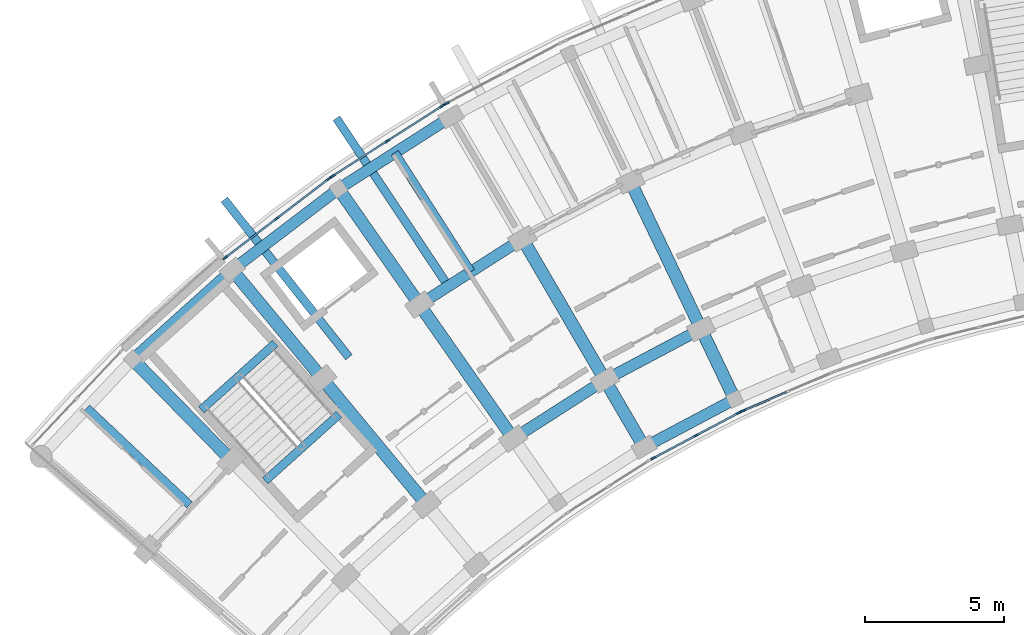
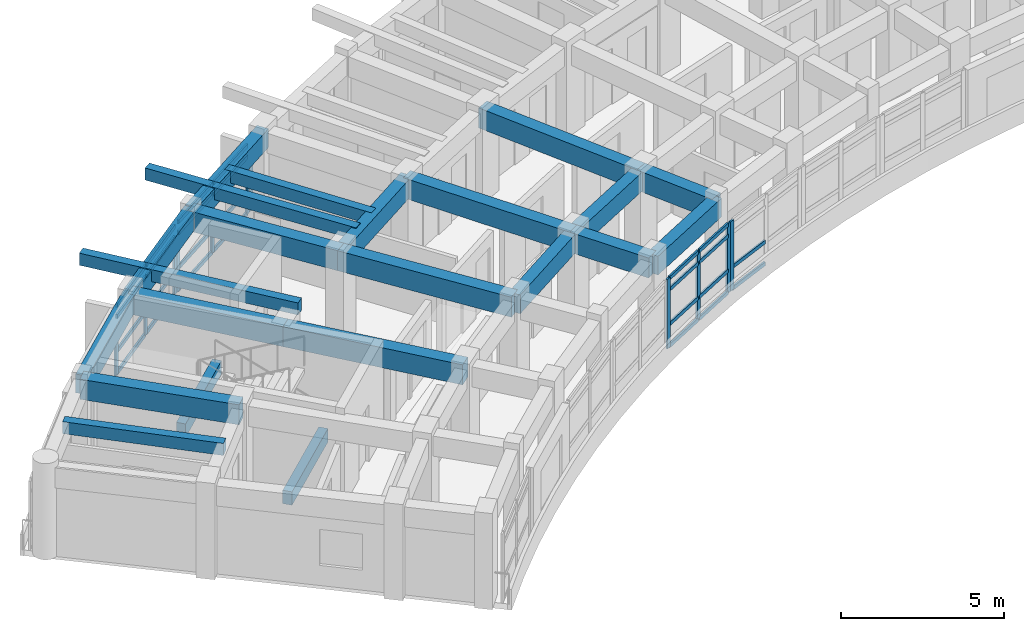
# One storey, part 23 of 83: 37 members, 22 beams, 5 elements without a shape of their own.
"""IFC4 building model written with IfcOpenShell, lengths in metres."""

from ifc_helpers import new_model, si_unit, direction, frame, origin, origin_2d, place, context, subcontext, project, spatial, rectangle, extrude, material, material_profile, profile_set, type_object, element, aggregate, save


model = new_model("IFC4")

# Units and contexts
model_context = context("Model", 3, precision=1e-05, world=origin(), true_north=direction((0.0, 1.0)))
body_context = subcontext(model_context, "Body", "Model", "MODEL_VIEW")
ifc_project = project(units=[si_unit("LENGTHUNIT", "METRE"), si_unit("AREAUNIT", "SQUARE_METRE"), si_unit("VOLUMEUNIT", "CUBIC_METRE"), si_unit("PLANEANGLEUNIT", "RADIAN"), si_unit("MASSUNIT", "GRAM", prefix="KILO")], contexts=[model_context])

# Site, building, storey
site_placement = place(None, origin())
site = spatial("IfcSite", under=ifc_project, at=site_placement, CompositionType="ELEMENT")
building_placement = place(site_placement, origin())
building = spatial("IfcBuilding", under=site, at=building_placement, Name="Zimvara Arc Housing Community", CompositionType="ELEMENT")
storey_placement = place(building_placement, frame((0.0, 0.0, 4.5)))
storey = spatial("IfcBuildingStorey", under=building, at=storey_placement, Name="L01", CompositionType="ELEMENT", Elevation=4.5)

# Beams
ifc_material_1 = material(Name="Concrete C40/50", Category="concrete")
ifc_material_profile_1 = material_profile(ifc_material_1, rectangle(XDim=0.300048828125, YDim=0.449951171875, at=origin_2d()), Name="RC 300x450")
ifc_profile_set_1 = profile_set([ifc_material_profile_1], Name="Concrete C40/50")
beam_type_1 = type_object("IfcBeamType", Name="BM-RC-300x450", PredefinedType="JOIST", material=ifc_profile_set_1)
beam_1_placement = place(storey_placement, frame((5.904296875, 81.3935546875, 3.135009765625), z_axis=(-0.727299876429, 0.686319815936, 0.0), x_axis=(-0.686319815936, -0.727299876429, 0.0)))
element("IfcBeam", 1, at=beam_1_placement, inside=storey, type_object=beam_type_1, Name="bm:blkA:L01:joist:b0", PredefinedType="JOIST", context=body_context, shape_type="SweptSolid", body=[
    extrude(rectangle(XDim=0.300048828125, YDim=0.449951171875, at=origin_2d()), origin(), (0.0, 0.0, 1.0), 5.075927734375),
])
beam_2_placement = place(storey_placement, frame((16.0224609375, 89.776123046875, 3.135009765625), z_axis=(-0.539052331508, 0.842272274206, 0.0), x_axis=(-0.842272274206, -0.539052331508, 0.0)))
element("IfcBeam", 2, at=beam_2_placement, inside=storey, type_object=beam_type_1, Name="bm:blkA:L01:joist:b3", PredefinedType="JOIST", context=body_context, shape_type="SweptSolid", body=[
    extrude(rectangle(XDim=0.300048828125, YDim=0.449951171875, at=origin_2d()), origin(), (0.0, 0.0, 1.0), 5.07568359375),
])
for number, where, z_axis, x_axis, name in (
    (3, (11.634033203125, 86.703857421875, 3.1650390625), (-0.620202196013, 0.784441990246, 0.0), (-0.784441990246, -0.620202196013, 0.0), "bm:blkA:L01:cant_out:b2"),
    (4, (15.188720703125, 89.285400390625, 3.1650390625), (-0.554114811637, 0.832440253426, 0.0), (-0.832440253426, -0.554114811637, 0.0), "bm:blkA:L01:cant_out:b3"),
):
    element("IfcBeam", number, at=place(storey_placement, frame(where, z_axis=z_axis, x_axis=x_axis)), inside=storey, type_object=beam_type_1, Name=name, PredefinedType="JOIST", context=body_context, shape_type="SweptSolid", body=[
        extrude(rectangle(XDim=0.300048828125, YDim=0.449951171875, at=origin_2d()), origin(), (0.0, 0.0, 1.0), 7.219970703125),
    ])
ifc_material_2 = material(Name="Concrete C40/50", Category="concrete")
ifc_material_profile_2 = material_profile(ifc_material_2, rectangle(XDim=0.300048828125, YDim=0.5, at=origin_2d()), Name="RC 300x500")
ifc_profile_set_2 = profile_set([ifc_material_profile_2], Name="Concrete C40/50")
beam_type_2 = type_object("IfcBeamType", Name="BM-RC-300x500", PredefinedType="BEAM", material=ifc_profile_set_2)
for number, where, z_axis, x_axis, name in (
    (5, (11.278076171875, 84.64697265625, -0.25), (-0.743362151162, -0.668889162881, 0.0), (0.668889162881, -0.743362151162, 0.0), "bm:stair_trim:ST-A1:L01:near"),
    (6, (8.982421875, 87.1982421875, 1.550048828125), (-0.743362151162, -0.668889162881, 0.0), (0.668889162881, -0.743362151162, 0.0), "bm:stair_trim:ST-A1:L01:mid"),
):
    element("IfcBeam", number, at=place(storey_placement, frame(where, z_axis=z_axis, x_axis=x_axis)), inside=storey, type_object=beam_type_2, Name=name, PredefinedType="BEAM", context=body_context, shape_type="SweptSolid", body=[
        extrude(rectangle(XDim=0.300048828125, YDim=0.5, at=origin_2d()), origin(), (0.0, 0.0, 1.0), 3.570068359375),
    ])
ifc_material_3 = material(Name="Concrete C40/50", Category="concrete")
ifc_material_profile_3 = material_profile(ifc_material_3, rectangle(XDim=0.39990234375, YDim=0.699951171875, at=origin_2d()), Name="RC 400x700")
ifc_profile_set_3 = profile_set([ifc_material_profile_3], Name="Concrete C40/50")
beam_type_3 = type_object("IfcBeamType", Name="BM-RC-400x700", PredefinedType="BEAM", material=ifc_profile_set_3)
beam_3_placement = place(storey_placement, frame((22.249267578125, 83.46435546875, 3.010009765625), z_axis=(0.883449220086, 0.468526920815, 0.0), x_axis=(-0.468526920815, 0.883449220086, 0.0)))
element("IfcBeam", 7, at=beam_3_placement, inside=storey, type_object=beam_type_3, Name="bm:blkA:L01:chord:r0:b4", PredefinedType="BEAM", context=body_context, shape_type="SweptSolid", body=[
    extrude(rectangle(XDim=0.39990234375, YDim=0.699951171875, at=origin_2d()), origin(), (0.0, 0.0, 1.0), 3.6845703125),
])
beam_4_placement = place(storey_placement, frame((17.541748046875, 83.77294921875, 3.010009765625), z_axis=(0.842253269878, 0.539082024724, 0.0), x_axis=(-0.539082024724, 0.842253269878, 0.0)))
element("IfcBeam", 8, at=beam_4_placement, inside=storey, type_object=beam_type_3, Name="bm:blkA:L01:chord:r1:b3", PredefinedType="BEAM", context=body_context, shape_type="SweptSolid", body=[
    extrude(rectangle(XDim=0.39990234375, YDim=0.699951171875, at=origin_2d()), origin(), (0.0, 0.0, 1.0), 3.912841796875),
])
beam_5_placement = place(storey_placement, frame((20.83740234375, 85.88232421875, 3.010009765625), z_axis=(0.883438625159, 0.468546897948, 0.0), x_axis=(-0.468546897948, 0.883438625159, 0.0)))
element("IfcBeam", 9, at=beam_5_placement, inside=storey, type_object=beam_type_3, Name="bm:blkA:L01:chord:r1:b4", PredefinedType="BEAM", context=body_context, shape_type="SweptSolid", body=[
    extrude(rectangle(XDim=0.39990234375, YDim=0.699951171875, at=origin_2d()), origin(), (0.0, 0.0, 1.0), 3.9130859375),
])
beam_6_placement = place(storey_placement, frame((14.17236328125, 88.591796875, 3.010009765625), z_axis=(0.842242131326, 0.539099427025, 0.0), x_axis=(-0.539099427025, 0.842242131326, 0.0)))
element("IfcBeam", 10, at=beam_6_placement, inside=storey, type_object=beam_type_3, Name="bm:blkA:L01:chord:r2:b3", PredefinedType="BEAM", context=body_context, shape_type="SweptSolid", body=[
    extrude(rectangle(XDim=0.39990234375, YDim=0.699951171875, at=origin_2d()), origin(), (0.0, 0.0, 1.0), 4.393310546875),
])
beam_7_placement = place(storey_placement, frame((3.862548828125, 86.625732421875, 3.010009765625), z_axis=(0.743395133402, 0.668852506637, 0.0), x_axis=(-0.668852506637, 0.743395133402, 0.0)))
element("IfcBeam", 11, at=beam_7_placement, inside=storey, type_object=beam_type_3, Name="bm:blkA:L01:chord:r3:b1", PredefinedType="BEAM", context=body_context, shape_type="SweptSolid", body=[
    extrude(rectangle(XDim=0.39990234375, YDim=0.699951171875, at=origin_2d()), origin(), (0.0, 0.0, 1.0), 4.807861328125),
])
beam_8_placement = place(storey_placement, frame((7.436767578125, 89.841552734375, 3.010009765625), z_axis=(0.795480673672, 0.605978958228, 0.0), x_axis=(-0.605978958228, 0.795480673672, 0.0)))
element("IfcBeam", 12, at=beam_8_placement, inside=storey, type_object=beam_type_3, Name="bm:blkA:L01:chord:r3:b2", PredefinedType="BEAM", context=body_context, shape_type="SweptSolid", body=[
    extrude(rectangle(XDim=0.39990234375, YDim=0.699951171875, at=origin_2d()), origin(), (0.0, 0.0, 1.0), 4.80810546875),
])
beam_9_placement = place(storey_placement, frame((11.261474609375, 92.755126953125, 3.010009765625), z_axis=(0.842255724028, 0.539078190379, 0.0), x_axis=(-0.539078190379, 0.842255724028, 0.0)))
element("IfcBeam", 13, at=beam_9_placement, inside=storey, type_object=beam_type_3, Name="bm:blkA:L01:chord:r3:b3", PredefinedType="BEAM", context=body_context, shape_type="SweptSolid", body=[
    extrude(rectangle(XDim=0.39990234375, YDim=0.699951171875, at=origin_2d()), origin(), (0.0, 0.0, 1.0), 4.808349609375),
])
ifc_material_4 = material(Name="Concrete C40/50", Category="concrete")
ifc_material_profile_4 = material_profile(ifc_material_4, rectangle(XDim=0.449951171875, YDim=0.75, at=origin_2d()), Name="RC 450x750")
ifc_profile_set_4 = profile_set([ifc_material_profile_4], Name="Concrete C40/50")
beam_type_4 = type_object("IfcBeamType", Name="BM-RC-450x750", PredefinedType="BEAM", material=ifc_profile_set_4)
beam_10_placement = place(storey_placement, frame((7.411865234375, 82.9912109375, 2.985107421875), z_axis=(-0.698670885014, 0.71544321538, 0.0), x_axis=(-0.71544321538, -0.698670885014, 0.0)))
element("IfcBeam", 14, at=beam_10_placement, inside=storey, type_object=beam_type_4, Name="bm:blkA:L01:rad:b1:r23", PredefinedType="BEAM", context=body_context, shape_type="SweptSolid", body=[
    extrude(rectangle(XDim=0.449951171875, YDim=0.75, at=origin_2d()), origin(), (0.0, 0.0, 1.0), 5.080078125),
])
beam_11_placement = place(storey_placement, frame((14.428955078125, 81.401611328125, 2.985107421875), z_axis=(-0.637955964415, 0.770072845559, 0.0), x_axis=(-0.770072845559, -0.637955964415, 0.0)))
element("IfcBeam", 15, at=beam_11_placement, inside=storey, type_object=beam_type_4, Name="bm:blkA:L01:rad:b2:r12", PredefinedType="BEAM", context=body_context, shape_type="SweptSolid", body=[
    extrude(rectangle(XDim=0.449951171875, YDim=0.75, at=origin_2d()), origin(), (0.0, 0.0, 1.0), 5.880126953125),
])
beam_12_placement = place(storey_placement, frame((10.677734375, 85.9296875, 2.985107421875), z_axis=(-0.637983669165, 0.77004989311, 0.0), x_axis=(-0.77004989311, -0.637983669165, 0.0)))
element("IfcBeam", 16, at=beam_12_placement, inside=storey, type_object=beam_type_4, Name="bm:blkA:L01:rad:b2:r23", PredefinedType="BEAM", context=body_context, shape_type="SweptSolid", body=[
    extrude(rectangle(XDim=0.449951171875, YDim=0.75, at=origin_2d()), origin(), (0.0, 0.0, 1.0), 5.080078125),
])
beam_13_placement = place(storey_placement, frame((17.541748046875, 83.77294921875, 2.985107421875), z_axis=(-0.573027549978, 0.819536104736, 0.0), x_axis=(-0.819536104736, -0.573027549978, 0.0)))
element("IfcBeam", 17, at=beam_13_placement, inside=storey, type_object=beam_type_4, Name="bm:blkA:L01:rad:b3:r12", PredefinedType="BEAM", context=body_context, shape_type="SweptSolid", body=[
    extrude(rectangle(XDim=0.449951171875, YDim=0.75, at=origin_2d()), origin(), (0.0, 0.0, 1.0), 5.8798828125),
])
beam_14_placement = place(storey_placement, frame((14.17236328125, 88.591796875, 2.985107421875), z_axis=(-0.573007469479, 0.819550144848, 0.0), x_axis=(-0.819550144848, -0.573007469479, 0.0)))
element("IfcBeam", 18, at=beam_14_placement, inside=storey, type_object=beam_type_4, Name="bm:blkA:L01:rad:b3:r23", PredefinedType="BEAM", context=body_context, shape_type="SweptSolid", body=[
    extrude(rectangle(XDim=0.449951171875, YDim=0.75, at=origin_2d()), origin(), (0.0, 0.0, 1.0), 5.080078125),
])
beam_15_placement = place(storey_placement, frame((22.249267578125, 83.46435546875, 2.985107421875), z_axis=(-0.504239631668, 0.86356377521, 0.0), x_axis=(-0.86356377521, -0.504239631668, 0.0)))
element("IfcBeam", 19, at=beam_15_placement, inside=storey, type_object=beam_type_4, Name="bm:blkA:L01:rad:b4:r01", PredefinedType="BEAM", context=body_context, shape_type="SweptSolid", body=[
    extrude(rectangle(XDim=0.449951171875, YDim=0.75, at=origin_2d()), origin(), (0.0, 0.0, 1.0), 2.800048828125),
])
beam_16_placement = place(storey_placement, frame((20.83740234375, 85.88232421875, 2.985107421875), z_axis=(-0.504219494781, 0.863575532934, 0.0), x_axis=(-0.863575532934, -0.504219494781, 0.0)))
element("IfcBeam", 20, at=beam_16_placement, inside=storey, type_object=beam_type_4, Name="bm:blkA:L01:rad:b4:r12", PredefinedType="BEAM", context=body_context, shape_type="SweptSolid", body=[
    extrude(rectangle(XDim=0.449951171875, YDim=0.75, at=origin_2d()), origin(), (0.0, 0.0, 1.0), 5.880126953125),
])
beam_17_placement = place(storey_placement, frame((25.50439453125, 85.190673828125, 2.985107421875), z_axis=(-0.432118703138, 0.901816736593, 0.0), x_axis=(-0.901816736593, -0.432118703138, 0.0)))
element("IfcBeam", 21, at=beam_17_placement, inside=storey, type_object=beam_type_4, Name="bm:blkA:L01:rad:b5:r01", PredefinedType="BEAM", context=body_context, shape_type="SweptSolid", body=[
    extrude(rectangle(XDim=0.449951171875, YDim=0.75, at=origin_2d()), origin(), (0.0, 0.0, 1.0), 2.800048828125),
])
beam_18_placement = place(storey_placement, frame((24.29443359375, 87.7158203125, 2.985107421875), z_axis=(-0.432069527705, 0.901840298073, 0.0), x_axis=(-0.901840298073, -0.432069527705, 0.0)))
element("IfcBeam", 22, at=beam_18_placement, inside=storey, type_object=beam_type_4, Name="bm:blkA:L01:rad:b5:r12", PredefinedType="BEAM", context=body_context, shape_type="SweptSolid", body=[
    extrude(rectangle(XDim=0.449951171875, YDim=0.75, at=origin_2d()), origin(), (0.0, 0.0, 1.0), 5.8798828125),
])

# Curtain wall, members
ifc_material_5 = material(Name="Anodised Aluminium AW-6063", Category="aluminium")
curtain_wall_type_1 = type_object("IfcCurtainWallType", Name="CW-SYS-08", PredefinedType="USERDEFINED", material=ifc_material_5)
curtain_wall_1_placement = place(storey_placement, origin())
curtain_wall_1 = element("IfcCurtainWall", 23, at=curtain_wall_1_placement, inside=storey, type_object=curtain_wall_type_1, Name="cw:blkA:L01:in:b4", ObjectType="CURTAIN WALL", PredefinedType="USERDEFINED")
ifc_material_6 = material(Name="Anodised Aluminium AW-6063", Category="aluminium")
ifc_material_profile_5 = material_profile(ifc_material_6, rectangle(XDim=0.06494140625, YDim=0.179931640625, at=origin_2d()), Name="ALU 65x180")
ifc_profile_set_5 = profile_set([ifc_material_profile_5], Name="Anodised Aluminium AW-6063")
member_type_1 = type_object("IfcMemberType", Name="CWM-65x150", PredefinedType="MULLION", material=ifc_profile_set_5)
member_1_placement = place(storey_placement, frame((22.583251953125, 83.075927734375, 0.0), z_axis=(0.0, 0.0, 1.0), x_axis=(-0.468544648573, 0.88343981815, 0.0)))
member_1 = element("IfcMember", 24, at=member_1_placement, type_object=member_type_1, Name="CW08 mullion 1", PredefinedType="MULLION", context=body_context, shape_type="SweptSolid", body=[
    extrude(rectangle(XDim=0.06494140625, YDim=0.179931640625, at=origin_2d()), origin(), (0.0, 0.0, 1.0), 2.60009765625),
])
member_2_placement = place(storey_placement, frame((24.11083984375, 83.88623046875, 0.0), z_axis=(0.0, 0.0, 1.0), x_axis=(-0.468544648573, 0.88343981815, 0.0)))
member_2 = element("IfcMember", 25, at=member_2_placement, type_object=member_type_1, Name="CW08 mullion 2", PredefinedType="MULLION", context=body_context, shape_type="SweptSolid", body=[
    extrude(rectangle(XDim=0.06494140625, YDim=0.179931640625, at=origin_2d()), origin(), (0.0, 0.0, 1.0), 2.60009765625),
])
member_3_placement = place(storey_placement, frame((25.638671875, 84.696533203125, 0.0), z_axis=(0.0, 0.0, 1.0), x_axis=(-0.468544648573, 0.88343981815, 0.0)))
member_3 = element("IfcMember", 26, at=member_3_placement, type_object=member_type_1, Name="CW08 mullion 3", PredefinedType="MULLION", context=body_context, shape_type="SweptSolid", body=[
    extrude(rectangle(XDim=0.06494140625, YDim=0.179931640625, at=origin_2d()), origin(), (0.0, 0.0, 1.0), 2.60009765625),
])

# Curtain wall, member
ifc_material_7 = material(Name="Anodised Aluminium AW-6063", Category="aluminium")
curtain_wall_type_2 = type_object("IfcCurtainWallType", Name="CW-SYS-02", PredefinedType="USERDEFINED", material=ifc_material_7)
curtain_wall_2_placement = place(storey_placement, origin())
curtain_wall_2 = element("IfcCurtainWall", 27, at=curtain_wall_2_placement, inside=storey, type_object=curtain_wall_type_2, Name="cw:blkA:L01:in:b5", ObjectType="CURTAIN WALL", PredefinedType="USERDEFINED")
member_4_placement = place(storey_placement, frame((25.805419921875, 84.7763671875, 0.0), z_axis=(0.0, 0.0, 1.0), x_axis=(-0.394904493375, 0.918722178415, 0.0)))
member_4 = element("IfcMember", 28, at=member_4_placement, type_object=member_type_1, Name="CW02 mullion 1", PredefinedType="MULLION", context=body_context, shape_type="SweptSolid", body=[
    extrude(rectangle(XDim=0.06494140625, YDim=0.179931640625, at=origin_2d()), origin(), (0.0, 0.0, 1.0), 2.60009765625),
])

# Curtain wall, members
ifc_material_8 = material(Name="Anodised Aluminium AW-6063", Category="aluminium")
curtain_wall_type_3 = type_object("IfcCurtainWallType", Name="CW-SYS-03", PredefinedType="USERDEFINED", material=ifc_material_8)
curtain_wall_3_placement = place(storey_placement, origin())
curtain_wall_3 = element("IfcCurtainWall", 29, at=curtain_wall_3_placement, inside=storey, type_object=curtain_wall_type_3, Name="cw:blkA:L01:out:b2", ObjectType="CURTAIN WALL", PredefinedType="USERDEFINED")
ifc_material_9 = material(Name="Anodised Aluminium AW-6063", Category="aluminium")
ifc_material_profile_6 = material_profile(ifc_material_9, rectangle(XDim=0.06494140625, YDim=0.195068359375, at=origin_2d()), Name="ALU 65x195")
ifc_profile_set_6 = profile_set([ifc_material_profile_6], Name="Anodised Aluminium AW-6063")
member_type_2 = type_object("IfcMemberType", Name="CWM-65x180", PredefinedType="MULLION", material=ifc_profile_set_6)
member_5_placement = place(storey_placement, frame((7.19140625, 90.28271484375, 0.0), z_axis=(0.0, 0.0, 1.0), x_axis=(-0.60598771987, 0.795473999177, 0.0)))
member_5 = element("IfcMember", 30, at=member_5_placement, type_object=member_type_2, Name="CW03 mullion 1", PredefinedType="MULLION", context=body_context, shape_type="SweptSolid", body=[
    extrude(rectangle(XDim=0.06494140625, YDim=0.195068359375, at=origin_2d()), origin(), (0.0, 0.0, 1.0), 2.60009765625),
])
member_6_placement = place(storey_placement, frame((9.04638671875, 91.69580078125, 0.0), z_axis=(0.0, 0.0, 1.0), x_axis=(-0.60598771987, 0.795473999177, 0.0)))
member_6 = element("IfcMember", 31, at=member_6_placement, type_object=member_type_2, Name="CW03 mullion 2", PredefinedType="MULLION", context=body_context, shape_type="SweptSolid", body=[
    extrude(rectangle(XDim=0.06494140625, YDim=0.195068359375, at=origin_2d()), origin(), (0.0, 0.0, 1.0), 2.60009765625),
])
member_7_placement = place(storey_placement, frame((10.9013671875, 93.10888671875, 0.0), z_axis=(0.0, 0.0, 1.0), x_axis=(-0.60598771987, 0.795473999177, 0.0)))
member_7 = element("IfcMember", 32, at=member_7_placement, type_object=member_type_2, Name="CW03 mullion 3", PredefinedType="MULLION", context=body_context, shape_type="SweptSolid", body=[
    extrude(rectangle(XDim=0.06494140625, YDim=0.195068359375, at=origin_2d()), origin(), (0.0, 0.0, 1.0), 2.60009765625),
])

ifc_material_10 = material(Name="Anodised Aluminium AW-6063", Category="aluminium")
curtain_wall_type_4 = type_object("IfcCurtainWallType", Name="CW-SYS-05", PredefinedType="USERDEFINED", material=ifc_material_10)
curtain_wall_4_placement = place(storey_placement, origin())
curtain_wall_4 = element("IfcCurtainWall", 33, at=curtain_wall_4_placement, inside=storey, type_object=curtain_wall_type_4, Name="cw:blkA:L01:out:b3", ObjectType="CURTAIN WALL", PredefinedType="USERDEFINED")
member_8_placement = place(storey_placement, frame((11.052978515625, 93.21484375, 0.0), z_axis=(0.0, 0.0, 1.0), x_axis=(-0.539064617721, 0.842264410931, 0.0)))
member_8 = element("IfcMember", 34, at=member_8_placement, type_object=member_type_2, Name="CW05 mullion 1", PredefinedType="MULLION", context=body_context, shape_type="SweptSolid", body=[
    extrude(rectangle(XDim=0.06494140625, YDim=0.195068359375, at=origin_2d()), origin(), (0.0, 0.0, 1.0), 2.60009765625),
])
member_9_placement = place(storey_placement, frame((13.01708984375, 94.471923828125, 0.0), z_axis=(0.0, 0.0, 1.0), x_axis=(-0.539064617721, 0.842264410931, 0.0)))
member_9 = element("IfcMember", 35, at=member_9_placement, type_object=member_type_2, Name="CW05 mullion 2", PredefinedType="MULLION", context=body_context, shape_type="SweptSolid", body=[
    extrude(rectangle(XDim=0.06494140625, YDim=0.195068359375, at=origin_2d()), origin(), (0.0, 0.0, 1.0), 2.60009765625),
])
member_10_placement = place(storey_placement, frame((14.981201171875, 95.72900390625, 0.0), z_axis=(0.0, 0.0, 1.0), x_axis=(-0.539064617721, 0.842264410931, 0.0)))
member_10 = element("IfcMember", 36, at=member_10_placement, type_object=member_type_2, Name="CW05 mullion 3", PredefinedType="MULLION", context=body_context, shape_type="SweptSolid", body=[
    extrude(rectangle(XDim=0.06494140625, YDim=0.195068359375, at=origin_2d()), origin(), (0.0, 0.0, 1.0), 2.60009765625),
])

# Curtain wall, member
ifc_material_11 = material(Name="Anodised Aluminium AW-6063", Category="aluminium")
curtain_wall_type_5 = type_object("IfcCurtainWallType", Name="CW-SYS-07", PredefinedType="USERDEFINED", material=ifc_material_11)
curtain_wall_5_placement = place(storey_placement, origin())
curtain_wall_5 = element("IfcCurtainWall", 37, at=curtain_wall_5_placement, inside=storey, type_object=curtain_wall_type_5, Name="cw:blkA:L01:out:b4", ObjectType="CURTAIN WALL", PredefinedType="USERDEFINED")
member_11_placement = place(storey_placement, frame((15.140869140625, 95.822265625, 0.0), z_axis=(0.0, 0.0, 1.0), x_axis=(-0.468546917761, 0.883438614651, 0.0)))
member_11 = element("IfcMember", 38, at=member_11_placement, type_object=member_type_2, Name="CW07 mullion 1", PredefinedType="MULLION", context=body_context, shape_type="SweptSolid", body=[
    extrude(rectangle(XDim=0.06494140625, YDim=0.195068359375, at=origin_2d()), origin(), (0.0, 0.0, 1.0), 2.60009765625),
])
aggregate(curtain_wall_5, [member_11])

# Member
ifc_material_12 = material(Name="Anodised Aluminium AW-6063", Category="aluminium")
ifc_material_profile_7 = material_profile(ifc_material_12, rectangle(XDim=0.06494140625, YDim=0.139892578125, at=origin_2d()), Name="ALU 65x140")
ifc_profile_set_7 = profile_set([ifc_material_profile_7], Name="Anodised Aluminium AW-6063")
member_type_3 = type_object("IfcMemberType", Name="CWT-65x120", PredefinedType="USERDEFINED", material=ifc_profile_set_7)
member_12_placement = place(storey_placement, frame((22.61181640625, 83.091064453125, 0.032470703125), z_axis=(0.883463021947, 0.468500895252, 0.0), x_axis=(-0.468500895252, 0.883463021947, 0.0)))
member_12 = element("IfcMember", 39, at=member_12_placement, type_object=member_type_3, Name="CW08 transom 1.1", ObjectType="TRANSOM", PredefinedType="USERDEFINED", context=body_context, shape_type="SweptSolid", body=[
    extrude(rectangle(XDim=0.06494140625, YDim=0.139892578125, at=origin_2d()), origin(), (0.0, 0.0, 1.0), 1.664306640625),
])

member_13_placement = place(storey_placement, frame((22.61181640625, 83.091064453125, 0.85009765625), z_axis=(0.883463021947, 0.468500895252, 0.0), x_axis=(-0.468500895252, 0.883463021947, 0.0)))
member_13 = element("IfcMember", 40, at=member_13_placement, type_object=member_type_3, Name="CW08 transom 1.2", ObjectType="TRANSOM", PredefinedType="USERDEFINED", context=body_context, shape_type="SweptSolid", body=[
    extrude(rectangle(XDim=0.06494140625, YDim=0.139892578125, at=origin_2d()), origin(), (0.0, 0.0, 1.0), 1.664306640625),
])

member_14_placement = place(storey_placement, frame((22.61181640625, 83.091064453125, 2.14990234375), z_axis=(0.883463021947, 0.468500895252, 0.0), x_axis=(-0.468500895252, 0.883463021947, 0.0)))
member_14 = element("IfcMember", 41, at=member_14_placement, type_object=member_type_3, Name="CW08 transom 1.3", ObjectType="TRANSOM", PredefinedType="USERDEFINED", context=body_context, shape_type="SweptSolid", body=[
    extrude(rectangle(XDim=0.06494140625, YDim=0.139892578125, at=origin_2d()), origin(), (0.0, 0.0, 1.0), 1.664306640625),
])

member_15_placement = place(storey_placement, frame((22.61181640625, 83.091064453125, 2.5673828125), z_axis=(0.883463021947, 0.468500895252, 0.0), x_axis=(-0.468500895252, 0.883463021947, 0.0)))
member_15 = element("IfcMember", 42, at=member_15_placement, type_object=member_type_3, Name="CW08 transom 1.4", ObjectType="TRANSOM", PredefinedType="USERDEFINED", context=body_context, shape_type="SweptSolid", body=[
    extrude(rectangle(XDim=0.06494140625, YDim=0.139892578125, at=origin_2d()), origin(), (0.0, 0.0, 1.0), 1.664306640625),
])

member_16_placement = place(storey_placement, frame((24.1396484375, 83.9013671875, 0.032470703125), z_axis=(0.8834308201, 0.468561613982, 0.0), x_axis=(-0.468561613982, 0.8834308201, 0.0)))
member_16 = element("IfcMember", 43, at=member_16_placement, type_object=member_type_3, Name="CW08 transom 2.1", ObjectType="TRANSOM", PredefinedType="USERDEFINED", context=body_context, shape_type="SweptSolid", body=[
    extrude(rectangle(XDim=0.06494140625, YDim=0.139892578125, at=origin_2d()), origin(), (0.0, 0.0, 1.0), 1.664306640625),
])

member_17_placement = place(storey_placement, frame((24.1396484375, 83.9013671875, 0.85009765625), z_axis=(0.8834308201, 0.468561613982, 0.0), x_axis=(-0.468561613982, 0.8834308201, 0.0)))
member_17 = element("IfcMember", 44, at=member_17_placement, type_object=member_type_3, Name="CW08 transom 2.2", ObjectType="TRANSOM", PredefinedType="USERDEFINED", context=body_context, shape_type="SweptSolid", body=[
    extrude(rectangle(XDim=0.06494140625, YDim=0.139892578125, at=origin_2d()), origin(), (0.0, 0.0, 1.0), 1.664306640625),
])

member_18_placement = place(storey_placement, frame((24.1396484375, 83.9013671875, 2.14990234375), z_axis=(0.8834308201, 0.468561613982, 0.0), x_axis=(-0.468561613982, 0.8834308201, 0.0)))
member_18 = element("IfcMember", 45, at=member_18_placement, type_object=member_type_3, Name="CW08 transom 2.3", ObjectType="TRANSOM", PredefinedType="USERDEFINED", context=body_context, shape_type="SweptSolid", body=[
    extrude(rectangle(XDim=0.06494140625, YDim=0.139892578125, at=origin_2d()), origin(), (0.0, 0.0, 1.0), 1.664306640625),
])

member_19_placement = place(storey_placement, frame((24.1396484375, 83.9013671875, 2.5673828125), z_axis=(0.8834308201, 0.468561613982, 0.0), x_axis=(-0.468561613982, 0.8834308201, 0.0)))
member_19 = element("IfcMember", 46, at=member_19_placement, type_object=member_type_3, Name="CW08 transom 2.4", ObjectType="TRANSOM", PredefinedType="USERDEFINED", context=body_context, shape_type="SweptSolid", body=[
    extrude(rectangle(XDim=0.06494140625, YDim=0.139892578125, at=origin_2d()), origin(), (0.0, 0.0, 1.0), 1.664306640625),
])

aggregate(curtain_wall_1, [member_1, member_2, member_3, member_12, member_13, member_14, member_15, member_16, member_17, member_18, member_19])

member_20_placement = place(storey_placement, frame((25.835205078125, 84.7890625, 0.032470703125), z_axis=(0.918727202972, 0.394892803832, 0.0), x_axis=(-0.394892803832, 0.918727202972, 0.0)))
member_20 = element("IfcMember", 47, at=member_20_placement, type_object=member_type_3, Name="CW02 transom 1.1", ObjectType="TRANSOM", PredefinedType="USERDEFINED", context=body_context, shape_type="SweptSolid", body=[
    extrude(rectangle(XDim=0.06494140625, YDim=0.139892578125, at=origin_2d()), origin(), (0.0, 0.0, 1.0), 1.664306640625),
])

member_21_placement = place(storey_placement, frame((25.835205078125, 84.7890625, 0.85009765625), z_axis=(0.918727202972, 0.394892803832, 0.0), x_axis=(-0.394892803832, 0.918727202972, 0.0)))
member_21 = element("IfcMember", 48, at=member_21_placement, type_object=member_type_3, Name="CW02 transom 1.2", ObjectType="TRANSOM", PredefinedType="USERDEFINED", context=body_context, shape_type="SweptSolid", body=[
    extrude(rectangle(XDim=0.06494140625, YDim=0.139892578125, at=origin_2d()), origin(), (0.0, 0.0, 1.0), 1.664306640625),
])

aggregate(curtain_wall_2, [member_4, member_20, member_21])

ifc_material_13 = material(Name="Anodised Aluminium AW-6063", Category="aluminium")
ifc_material_profile_8 = material_profile(ifc_material_13, rectangle(XDim=0.06494140625, YDim=0.155029296875, at=origin_2d()), Name="ALU 65x155")
ifc_profile_set_8 = profile_set([ifc_material_profile_8], Name="Anodised Aluminium AW-6063")
member_type_4 = type_object("IfcMemberType", Name="CWT-65x140", PredefinedType="USERDEFINED", material=ifc_profile_set_8)
member_22_placement = place(storey_placement, frame((7.21728515625, 90.302490234375, 0.032470703125), z_axis=(0.795505886513, 0.605945859399, 0.0), x_axis=(-0.605945859399, 0.795505886513, 0.0)))
member_22 = element("IfcMember", 49, at=member_22_placement, type_object=member_type_4, Name="CW03 transom 1.1", ObjectType="TRANSOM", PredefinedType="USERDEFINED", context=body_context, shape_type="SweptSolid", body=[
    extrude(rectangle(XDim=0.06494140625, YDim=0.155029296875, at=origin_2d()), origin(), (0.0, 0.0, 1.0), 2.266845703125),
])

member_23_placement = place(storey_placement, frame((7.21728515625, 90.302490234375, 0.85009765625), z_axis=(0.795505886513, 0.605945859399, 0.0), x_axis=(-0.605945859399, 0.795505886513, 0.0)))
member_23 = element("IfcMember", 50, at=member_23_placement, type_object=member_type_4, Name="CW03 transom 1.2", ObjectType="TRANSOM", PredefinedType="USERDEFINED", context=body_context, shape_type="SweptSolid", body=[
    extrude(rectangle(XDim=0.06494140625, YDim=0.155029296875, at=origin_2d()), origin(), (0.0, 0.0, 1.0), 2.266845703125),
])

member_24_placement = place(storey_placement, frame((7.21728515625, 90.302490234375, 2.14990234375), z_axis=(0.795505886513, 0.605945859399, 0.0), x_axis=(-0.605945859399, 0.795505886513, 0.0)))
member_24 = element("IfcMember", 51, at=member_24_placement, type_object=member_type_4, Name="CW03 transom 1.3", ObjectType="TRANSOM", PredefinedType="USERDEFINED", context=body_context, shape_type="SweptSolid", body=[
    extrude(rectangle(XDim=0.06494140625, YDim=0.155029296875, at=origin_2d()), origin(), (0.0, 0.0, 1.0), 2.266845703125),
])

member_25_placement = place(storey_placement, frame((7.21728515625, 90.302490234375, 2.5673828125), z_axis=(0.795505886513, 0.605945859399, 0.0), x_axis=(-0.605945859399, 0.795505886513, 0.0)))
member_25 = element("IfcMember", 52, at=member_25_placement, type_object=member_type_4, Name="CW03 transom 1.4", ObjectType="TRANSOM", PredefinedType="USERDEFINED", context=body_context, shape_type="SweptSolid", body=[
    extrude(rectangle(XDim=0.06494140625, YDim=0.155029296875, at=origin_2d()), origin(), (0.0, 0.0, 1.0), 2.266845703125),
])

member_26_placement = place(storey_placement, frame((9.072265625, 91.715576171875, 0.032470703125), z_axis=(0.795453969776, 0.606014011363, 0.0), x_axis=(-0.606014011363, 0.795453969776, 0.0)))
member_26 = element("IfcMember", 53, at=member_26_placement, type_object=member_type_4, Name="CW03 transom 2.1", ObjectType="TRANSOM", PredefinedType="USERDEFINED", context=body_context, shape_type="SweptSolid", body=[
    extrude(rectangle(XDim=0.06494140625, YDim=0.155029296875, at=origin_2d()), origin(), (0.0, 0.0, 1.0), 2.266845703125),
])

member_27_placement = place(storey_placement, frame((9.072265625, 91.715576171875, 0.85009765625), z_axis=(0.795453969776, 0.606014011363, 0.0), x_axis=(-0.606014011363, 0.795453969776, 0.0)))
member_27 = element("IfcMember", 54, at=member_27_placement, type_object=member_type_4, Name="CW03 transom 2.2", ObjectType="TRANSOM", PredefinedType="USERDEFINED", context=body_context, shape_type="SweptSolid", body=[
    extrude(rectangle(XDim=0.06494140625, YDim=0.155029296875, at=origin_2d()), origin(), (0.0, 0.0, 1.0), 2.266845703125),
])

member_28_placement = place(storey_placement, frame((9.072265625, 91.715576171875, 2.14990234375), z_axis=(0.795453969776, 0.606014011363, 0.0), x_axis=(-0.606014011363, 0.795453969776, 0.0)))
member_28 = element("IfcMember", 55, at=member_28_placement, type_object=member_type_4, Name="CW03 transom 2.3", ObjectType="TRANSOM", PredefinedType="USERDEFINED", context=body_context, shape_type="SweptSolid", body=[
    extrude(rectangle(XDim=0.06494140625, YDim=0.155029296875, at=origin_2d()), origin(), (0.0, 0.0, 1.0), 2.266845703125),
])

member_29_placement = place(storey_placement, frame((9.072265625, 91.715576171875, 2.5673828125), z_axis=(0.795453969776, 0.606014011363, 0.0), x_axis=(-0.606014011363, 0.795453969776, 0.0)))
member_29 = element("IfcMember", 56, at=member_29_placement, type_object=member_type_4, Name="CW03 transom 2.4", ObjectType="TRANSOM", PredefinedType="USERDEFINED", context=body_context, shape_type="SweptSolid", body=[
    extrude(rectangle(XDim=0.06494140625, YDim=0.155029296875, at=origin_2d()), origin(), (0.0, 0.0, 1.0), 2.266845703125),
])

aggregate(curtain_wall_3, [member_5, member_6, member_7, member_22, member_23, member_24, member_25, member_26, member_27, member_28, member_29])

member_30_placement = place(storey_placement, frame((11.080322265625, 93.232421875, 0.032470703125), z_axis=(0.842292914806, 0.539020079095, 0.0), x_axis=(-0.539020079095, 0.842292914806, 0.0)))
member_30 = element("IfcMember", 57, at=member_30_placement, type_object=member_type_4, Name="CW05 transom 1.1", ObjectType="TRANSOM", PredefinedType="USERDEFINED", context=body_context, shape_type="SweptSolid", body=[
    extrude(rectangle(XDim=0.06494140625, YDim=0.155029296875, at=origin_2d()), origin(), (0.0, 0.0, 1.0), 2.266845703125),
])

member_31_placement = place(storey_placement, frame((11.080322265625, 93.232421875, 0.85009765625), z_axis=(0.842292914806, 0.539020079095, 0.0), x_axis=(-0.539020079095, 0.842292914806, 0.0)))
member_31 = element("IfcMember", 58, at=member_31_placement, type_object=member_type_4, Name="CW05 transom 1.2", ObjectType="TRANSOM", PredefinedType="USERDEFINED", context=body_context, shape_type="SweptSolid", body=[
    extrude(rectangle(XDim=0.06494140625, YDim=0.155029296875, at=origin_2d()), origin(), (0.0, 0.0, 1.0), 2.266845703125),
])

member_32_placement = place(storey_placement, frame((11.080322265625, 93.232421875, 2.14990234375), z_axis=(0.842292914806, 0.539020079095, 0.0), x_axis=(-0.539020079095, 0.842292914806, 0.0)))
member_32 = element("IfcMember", 59, at=member_32_placement, type_object=member_type_4, Name="CW05 transom 1.3", ObjectType="TRANSOM", PredefinedType="USERDEFINED", context=body_context, shape_type="SweptSolid", body=[
    extrude(rectangle(XDim=0.06494140625, YDim=0.155029296875, at=origin_2d()), origin(), (0.0, 0.0, 1.0), 2.266845703125),
])

member_33_placement = place(storey_placement, frame((11.080322265625, 93.232421875, 2.5673828125), z_axis=(0.842292914806, 0.539020079095, 0.0), x_axis=(-0.539020079095, 0.842292914806, 0.0)))
member_33 = element("IfcMember", 60, at=member_33_placement, type_object=member_type_4, Name="CW05 transom 1.4", ObjectType="TRANSOM", PredefinedType="USERDEFINED", context=body_context, shape_type="SweptSolid", body=[
    extrude(rectangle(XDim=0.06494140625, YDim=0.155029296875, at=origin_2d()), origin(), (0.0, 0.0, 1.0), 2.266845703125),
])

member_34_placement = place(storey_placement, frame((13.04443359375, 94.489501953125, 0.032470703125), z_axis=(0.842292914806, 0.539020079095, 0.0), x_axis=(-0.539020079095, 0.842292914806, 0.0)))
member_34 = element("IfcMember", 61, at=member_34_placement, type_object=member_type_4, Name="CW05 transom 2.1", ObjectType="TRANSOM", PredefinedType="USERDEFINED", context=body_context, shape_type="SweptSolid", body=[
    extrude(rectangle(XDim=0.06494140625, YDim=0.155029296875, at=origin_2d()), origin(), (0.0, 0.0, 1.0), 2.266845703125),
])

member_35_placement = place(storey_placement, frame((13.04443359375, 94.489501953125, 0.85009765625), z_axis=(0.842292914806, 0.539020079095, 0.0), x_axis=(-0.539020079095, 0.842292914806, 0.0)))
member_35 = element("IfcMember", 62, at=member_35_placement, type_object=member_type_4, Name="CW05 transom 2.2", ObjectType="TRANSOM", PredefinedType="USERDEFINED", context=body_context, shape_type="SweptSolid", body=[
    extrude(rectangle(XDim=0.06494140625, YDim=0.155029296875, at=origin_2d()), origin(), (0.0, 0.0, 1.0), 2.266845703125),
])

member_36_placement = place(storey_placement, frame((13.04443359375, 94.489501953125, 2.14990234375), z_axis=(0.842292914806, 0.539020079095, 0.0), x_axis=(-0.539020079095, 0.842292914806, 0.0)))
member_36 = element("IfcMember", 63, at=member_36_placement, type_object=member_type_4, Name="CW05 transom 2.3", ObjectType="TRANSOM", PredefinedType="USERDEFINED", context=body_context, shape_type="SweptSolid", body=[
    extrude(rectangle(XDim=0.06494140625, YDim=0.155029296875, at=origin_2d()), origin(), (0.0, 0.0, 1.0), 2.266845703125),
])

member_37_placement = place(storey_placement, frame((13.04443359375, 94.489501953125, 2.5673828125), z_axis=(0.842292914806, 0.539020079095, 0.0), x_axis=(-0.539020079095, 0.842292914806, 0.0)))
member_37 = element("IfcMember", 64, at=member_37_placement, type_object=member_type_4, Name="CW05 transom 2.4", ObjectType="TRANSOM", PredefinedType="USERDEFINED", context=body_context, shape_type="SweptSolid", body=[
    extrude(rectangle(XDim=0.06494140625, YDim=0.155029296875, at=origin_2d()), origin(), (0.0, 0.0, 1.0), 2.266845703125),
])

aggregate(curtain_wall_4, [member_8, member_9, member_10, member_30, member_31, member_32, member_33, member_34, member_35, member_36, member_37])

save(model, "model.ifc")
